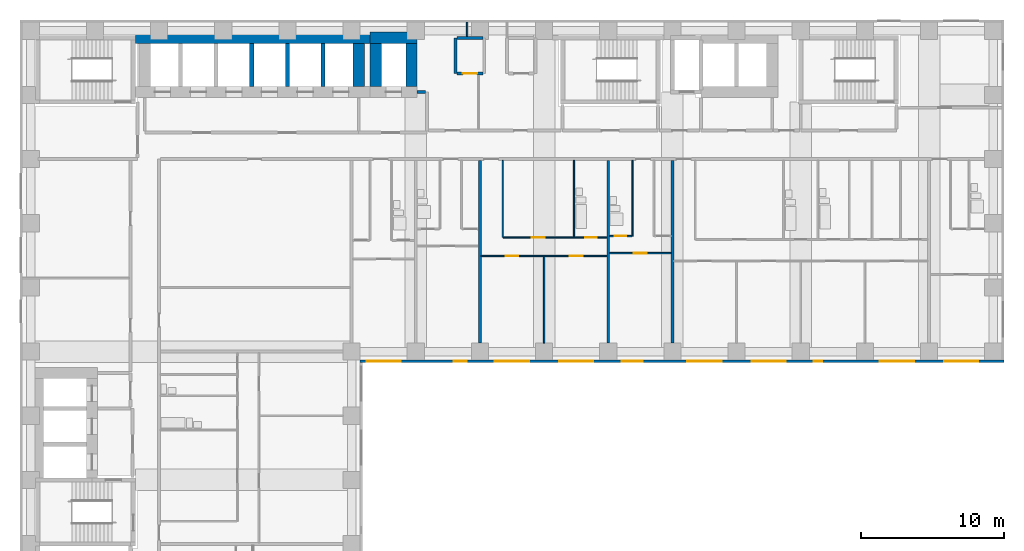
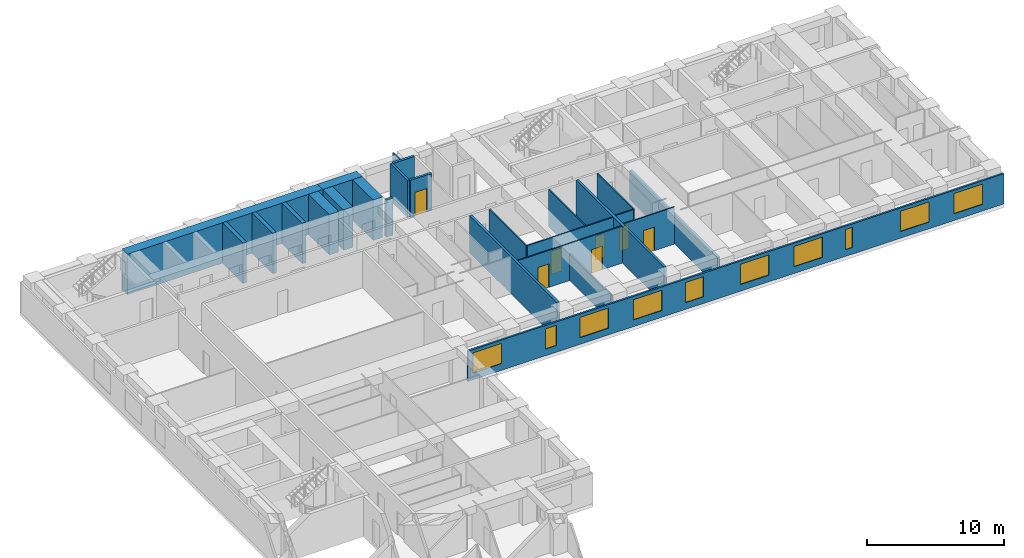
# One storey, part 6 of 12: 25 walls, 10 windows, 7 doors, 17 openings.
"""IFC4 building model written with IfcOpenShell, lengths in metres."""

from ifc_helpers import new_model, si_unit, direction, frame, frame_2d, origin, place, context, subcontext, project, spatial, rectangle, extrude, material, layer, layer_set, type_object, element, fill, save


model = new_model("IFC4")

# Units and contexts
model_context = context("Model", 3, precision=1e-05, world=origin(), true_north=direction((0.0, 1.0)))
body_context = subcontext(model_context, "Body", "Model", "MODEL_VIEW")
ifc_project = project(units=[si_unit("LENGTHUNIT", "METRE"), si_unit("AREAUNIT", "SQUARE_METRE"), si_unit("VOLUMEUNIT", "CUBIC_METRE"), si_unit("PLANEANGLEUNIT", "RADIAN"), si_unit("MASSUNIT", "GRAM", prefix="KILO")], contexts=[model_context])

# Site, building, storey
site_placement = place(None, origin())
site = spatial("IfcSite", under=ifc_project, at=site_placement, CompositionType="ELEMENT")
building_placement = place(site_placement, origin())
building = spatial("IfcBuilding", under=site, at=building_placement, Name="Firuza Court", CompositionType="ELEMENT")
storey_placement = place(building_placement, frame((0.0, 0.0, 39.800048828125)))
storey = spatial("IfcBuildingStorey", under=building, at=storey_placement, Name="L08", CompositionType="ELEMENT", Elevation=39.800048828125)

# Walls
ifc_material_1 = material(Name="Moisture-resistant gypsum board partition")
ifc_layer_1 = layer(ifc_material_1, 0.10009765625)
ifc_layer_set_1 = layer_set([ifc_layer_1], Name="Moisture-resistant gypsum board partition")
wall_type_1 = type_object("IfcWallType", Name="Bathroom partition 100", PredefinedType="PLUMBINGWALL", material=ifc_layer_set_1)
wall_1_placement = place(storey_placement, frame((38.10009765625, 44.050048828125, 0.0), z_axis=(0.0, 0.0, 1.0), x_axis=(0.0, 1.0, 0.0)))
element("IfcWall", 1, at=wall_1_placement, inside=storey, type_object=wall_type_1, Name="Bathroom partition 100 L08", PredefinedType="PLUMBINGWALL", context=body_context, shape_type="SweptSolid", body=[
    extrude(rectangle(XDim=5.349853515625, YDim=0.10009765625, at=frame_2d((2.6748046875, 0.0))), origin(), (0.0, 0.0, 1.0), 3.300048828125),
])
wall_2_placement = place(storey_placement, frame((42.199951171875, 44.10009765625, 0.0), z_axis=(0.0, 0.0, 1.0), x_axis=(0.0, 1.0, 0.0)))
element("IfcWall", 2, at=wall_2_placement, inside=storey, type_object=wall_type_1, Name="Bathroom partition 100 L08", PredefinedType="PLUMBINGWALL", context=body_context, shape_type="SweptSolid", body=[
    extrude(rectangle(XDim=5.2998046875, YDim=0.10009765625, at=frame_2d((2.64990234375, 0.0))), origin(), (0.0, 0.0, 1.0), 3.300048828125),
])
ifc_material_2 = material(Name="Concrete C60/75", Category="concrete")
ifc_layer_2 = layer(ifc_material_2, 0.300048828125)
ifc_layer_set_2 = layer_set([ifc_layer_2], Name="Concrete C60/75")
wall_type_2 = type_object("IfcWallType", Name="Core wall 300 C60/75", PredefinedType="SHEAR", material=ifc_layer_set_2)
for number, where, z_axis, x_axis, name in (
    (3, (15.5, 54.60009765625, -0.300048828125), (0.0, 0.0, 1.0), (0.0, 1.0, 0.0), "Core wall lift shaft L08"),
    (4, (18.0, 54.60009765625, -0.300048828125), (0.0, 0.0, 1.0), (0.0, 1.0, 0.0), "Core wall lift shaft L08"),
    (5, (20.5, 54.60009765625, -0.300048828125), (0.0, 0.0, 1.0), (0.0, 1.0, 0.0), "Core wall lift shaft L08"),
):
    element("IfcWall", number, at=place(storey_placement, frame(where, z_axis=z_axis, x_axis=x_axis)), inside=storey, type_object=wall_type_2, Name=name, PredefinedType="SHEAR", context=body_context, shape_type="SweptSolid", body=[
        extrude(rectangle(XDim=3.0, YDim=0.300048828125, at=frame_2d((1.5, 0.0))), origin(), (0.0, 0.0, 1.0), 3.60009765625),
    ])
ifc_layer_3 = layer(ifc_material_2, 0.800048828125)
ifc_layer_set_3 = layer_set([ifc_layer_3], Name="Concrete C60/75")
wall_type_3 = type_object("IfcWallType", Name="Core wall 800 C60/75", PredefinedType="SHEAR", material=ifc_layer_set_3)
wall_3_placement = place(storey_placement, frame((7.35009765625, 58.0, -0.300048828125), z_axis=(0.0, 0.0, 1.0), x_axis=(1.0, 0.0, 0.0)))
element("IfcWall", 6, at=wall_3_placement, inside=storey, type_object=wall_type_3, Name="Core wall lift shaft L08", PredefinedType="SHEAR", context=body_context, shape_type="SweptSolid", body=[
    extrude(rectangle(XDim=16.449951171875, YDim=0.800048828125, at=frame_2d((8.22509765625, 0.0))), origin(), (0.0, 0.0, 1.0), 3.60009765625),
])
wall_4_placement = place(storey_placement, frame((23.0, 54.60009765625, -0.300048828125), z_axis=(0.0, 0.0, 1.0), x_axis=(0.0, 1.0, 0.0)))
element("IfcWall", 7, at=wall_4_placement, inside=storey, type_object=wall_type_3, Name="Core wall lift shaft L08", PredefinedType="SHEAR", context=body_context, shape_type="SweptSolid", body=[
    extrude(rectangle(XDim=3.0, YDim=0.800048828125, at=frame_2d((1.5, 0.0))), origin(), (0.0, 0.0, 1.0), 3.60009765625),
])
wall_5_placement = place(storey_placement, frame((23.800048828125, 58.0, -0.300048828125), z_axis=(0.0, 0.0, 1.0), x_axis=(1.0, 0.0, 0.0)))
element("IfcWall", 8, at=wall_5_placement, inside=storey, type_object=wall_type_3, Name="Core wall lift shaft L08", PredefinedType="SHEAR", context=body_context, shape_type="SweptSolid", body=[
    extrude(rectangle(XDim=3.300048828125, YDim=0.800048828125, at=frame_2d((1.64990234375, 0.0))), origin(), (0.0, 0.0, 1.0), 3.60009765625),
])
for number, where, z_axis, x_axis, name in (
    (9, (24.199951171875, 54.60009765625, -0.300048828125), (0.0, 0.0, 1.0), (0.0, 1.0, 0.0), "Core wall lift shaft L08"),
    (10, (26.699951171875, 54.60009765625, -0.300048828125), (0.0, 0.0, 1.0), (0.0, 1.0, 0.0), "Core wall lift shaft L08"),
):
    element("IfcWall", number, at=place(storey_placement, frame(where, z_axis=z_axis, x_axis=x_axis)), inside=storey, type_object=wall_type_3, Name=name, PredefinedType="SHEAR", context=body_context, shape_type="SweptSolid", body=[
        extrude(rectangle(XDim=3.0, YDim=0.800048828125, at=frame_2d((1.5, 0.0))), origin(), (0.0, 0.0, 1.0), 3.60009765625),
    ])
ifc_material_3 = material(Name="Timber stud partition, plasterboard both sides", Category="wood")
ifc_layer_4 = layer(ifc_material_3, 0.10009765625)
ifc_layer_set_4 = layer_set([ifc_layer_4], Name="Timber stud partition, plasterboard both sides")
wall_type_4 = type_object("IfcWallType", Name="Partition wall 100", PredefinedType="PARTITIONING", material=ifc_layer_set_4)
wall_6_placement = place(storey_placement, frame((36.0, 36.60009765625, 0.0), z_axis=(0.0, 0.0, 1.0), x_axis=(0.0, 1.0, 0.0)))
element("IfcWall", 11, at=wall_6_placement, inside=storey, type_object=wall_type_4, Name="Partition wall 100 L08", PredefinedType="PARTITIONING", context=body_context, shape_type="SweptSolid", body=[
    extrude(rectangle(XDim=6.0498046875, YDim=0.10009765625, at=frame_2d((3.02490234375, 0.0))), origin(), (0.0, 0.0, 1.0), 2.39990234375),
])

# Wall, openings, doors
wall_7_placement = place(storey_placement, frame((31.60009765625, 42.699951171875, 0.0), z_axis=(0.0, 0.0, 1.0), x_axis=(1.0, 0.0, 0.0)))
wall_7 = element("IfcWall", 12, at=wall_7_placement, inside=storey, type_object=wall_type_4, Name="Partition wall 100 L08", PredefinedType="PARTITIONING", context=body_context, shape_type="SweptSolid", body=[
    extrude(rectangle(XDim=8.7998046875, YDim=0.10009765625, at=frame_2d((4.39990234375, 0.0))), origin(), (0.0, 0.0, 1.0), 3.300048828125),
])
opening_1_placement = place(wall_7_placement, frame((1.699951171875, 0.0, 0.0)))
opening_1 = element("IfcOpeningElement", 13, at=opening_1_placement, cuts=wall_7, Name="Opening D08049", PredefinedType="OPENING", context=body_context, shape_type="SweptSolid", body=[
    extrude(rectangle(XDim=0.89990234375, YDim=2.10009765625, at=frame_2d((0.449951171875, 1.050048828125))), frame((0.0, 0.06201171875, 0.0), z_axis=(0.0, -1.0, 0.0), x_axis=(1.0, 0.0, 0.0)), (0.0, 0.0, 1.0), 0.1240234375),
])
opening_2_placement = place(wall_7_placement, frame((6.199951171875, 0.0, 0.0)))
opening_2 = element("IfcOpeningElement", 14, at=opening_2_placement, cuts=wall_7, Name="Opening D08050", PredefinedType="OPENING", context=body_context, shape_type="SweptSolid", body=[
    extrude(rectangle(XDim=0.89990234375, YDim=2.10009765625, at=frame_2d((0.449951171875, 1.050048828125))), frame((0.0, 0.06201171875, 0.0), z_axis=(0.0, -1.0, 0.0), x_axis=(1.0, 0.0, 0.0)), (0.0, 0.0, 1.0), 0.1240234375),
])
ifc_material_4 = material(Name="Timber door leaf in hardwood frame", Category="wood")
door_type_1 = type_object("IfcDoorType", Name="Room door 900", OperationType="SINGLE_SWING_LEFT", PredefinedType="DOOR", material=ifc_material_4)
door_1_placement = place(opening_1_placement, frame((0.89990234375, 0.0, 0.0), z_axis=(0.0, 0.0, 1.0), x_axis=(-1.0, 0.0, 0.0)))
door_1 = element("IfcDoor", 15, at=door_1_placement, inside=storey, type_object=door_type_1, Name="Bedroom door", OperationType="SINGLE_SWING_RIGHT", OverallHeight=2.10009765625, OverallWidth=0.89990234375, PredefinedType="DOOR", context=body_context, shape_type="SweptSolid", body=[
    extrude(rectangle(XDim=0.89990234375, YDim=2.10009765625, at=frame_2d((0.449951171875, 1.050048828125))), frame((0.0, 0.02490234375, 0.0), z_axis=(0.0, -1.0, 0.0), x_axis=(1.0, 0.0, 0.0)), (0.0, 0.0, 1.0), 0.050048828125),
])
fill(opening_1, door_1)
door_2_placement = place(opening_2_placement, frame((0.89990234375, 0.0, 0.0), z_axis=(0.0, 0.0, 1.0), x_axis=(-1.0, 0.0, 0.0)))
door_2 = element("IfcDoor", 16, at=door_2_placement, inside=storey, type_object=door_type_1, Name="Living room door", OperationType="SINGLE_SWING_RIGHT", OverallHeight=2.10009765625, OverallWidth=0.89990234375, PredefinedType="DOOR", context=body_context, shape_type="SweptSolid", body=[
    extrude(rectangle(XDim=0.89990234375, YDim=2.10009765625, at=frame_2d((0.449951171875, 1.050048828125))), frame((0.0, 0.02490234375, 0.0), z_axis=(0.0, -1.0, 0.0), x_axis=(1.0, 0.0, 0.0)), (0.0, 0.0, 1.0), 0.050048828125),
])
fill(opening_2, door_2)

# Wall, opening, door
wall_8_placement = place(storey_placement, frame((40.60009765625, 42.89990234375, 0.0), z_axis=(0.0, 0.0, 1.0), x_axis=(1.0, 0.0, 0.0)))
wall_8 = element("IfcWall", 17, at=wall_8_placement, inside=storey, type_object=wall_type_4, Name="Partition wall 100 L08", PredefinedType="PARTITIONING", context=body_context, shape_type="SweptSolid", body=[
    extrude(rectangle(XDim=4.2998046875, YDim=0.10009765625, at=frame_2d((2.14990234375, 0.0))), origin(), (0.0, 0.0, 1.0), 3.300048828125),
])
opening_3_placement = place(wall_8_placement, frame((1.699951171875, 0.0, 0.0)))
opening_3 = element("IfcOpeningElement", 18, at=opening_3_placement, cuts=wall_8, Name="Opening D08051", PredefinedType="OPENING", context=body_context, shape_type="SweptSolid", body=[
    extrude(rectangle(XDim=0.89990234375, YDim=2.10009765625, at=frame_2d((0.449951171875, 1.050048828125))), frame((0.0, 0.06201171875, 0.0), z_axis=(0.0, -1.0, 0.0), x_axis=(1.0, 0.0, 0.0)), (0.0, 0.0, 1.0), 0.1240234375),
])
door_3_placement = place(opening_3_placement, frame((0.89990234375, 0.0, 0.0), z_axis=(0.0, 0.0, 1.0), x_axis=(-1.0, 0.0, 0.0)))
door_3 = element("IfcDoor", 19, at=door_3_placement, inside=storey, type_object=door_type_1, Name="Studio room door", OperationType="SINGLE_SWING_RIGHT", OverallHeight=2.10009765625, OverallWidth=0.89990234375, PredefinedType="DOOR", context=body_context, shape_type="SweptSolid", body=[
    extrude(rectangle(XDim=0.89990234375, YDim=2.10009765625, at=frame_2d((0.449951171875, 1.050048828125))), frame((0.0, 0.02490234375, 0.0), z_axis=(0.0, -1.0, 0.0), x_axis=(1.0, 0.0, 0.0)), (0.0, 0.0, 1.0), 0.050048828125),
])
fill(opening_3, door_3)

# Wall
wall_9_placement = place(storey_placement, frame((33.10009765625, 44.0, 0.0), z_axis=(0.0, 0.0, 1.0), x_axis=(0.0, 1.0, 0.0)))
element("IfcWall", 20, at=wall_9_placement, inside=storey, type_object=wall_type_4, Name="Partition wall 100 L08", PredefinedType="PARTITIONING", context=body_context, shape_type="SweptSolid", body=[
    extrude(rectangle(XDim=5.39990234375, YDim=0.10009765625, at=frame_2d((2.699951171875, 0.0))), origin(), (0.0, 0.0, 1.0), 3.300048828125),
])

# Wall, openings, doors
wall_10_placement = place(storey_placement, frame((33.14990234375, 44.0, 0.0), z_axis=(0.0, 0.0, 1.0), x_axis=(1.0, 0.0, 0.0)))
wall_10 = element("IfcWall", 21, at=wall_10_placement, inside=storey, type_object=wall_type_4, Name="Partition wall 100 L08", PredefinedType="PARTITIONING", context=body_context, shape_type="SweptSolid", body=[
    extrude(rectangle(XDim=7.25, YDim=0.10009765625, at=frame_2d((3.625, 0.0))), origin(), (0.0, 0.0, 1.0), 3.300048828125),
])
opening_4_placement = place(wall_10_placement, frame((5.75, 0.0, 0.0)))
opening_4 = element("IfcOpeningElement", 22, at=opening_4_placement, cuts=wall_10, Name="Opening D08061", PredefinedType="OPENING", context=body_context, shape_type="SweptSolid", body=[
    extrude(rectangle(XDim=0.800048828125, YDim=2.10009765625, at=frame_2d((0.39990234375, 1.050048828125))), frame((0.0, 0.06201171875, 0.0), z_axis=(0.0, -1.0, 0.0), x_axis=(1.0, 0.0, 0.0)), (0.0, 0.0, 1.0), 0.1240234375),
])
opening_5_placement = place(wall_10_placement, frame((2.0, 0.0, 0.0)))
opening_5 = element("IfcOpeningElement", 23, at=opening_5_placement, cuts=wall_10, Name="Opening D08062", PredefinedType="OPENING", context=body_context, shape_type="SweptSolid", body=[
    extrude(rectangle(XDim=0.89990234375, YDim=2.10009765625, at=frame_2d((0.449951171875, 1.050048828125))), frame((0.0, 0.06201171875, 0.0), z_axis=(0.0, -1.0, 0.0), x_axis=(1.0, 0.0, 0.0)), (0.0, 0.0, 1.0), 0.1240234375),
])
ifc_material_5 = material(Name="Timber door leaf in hardwood frame", Category="wood")
door_type_2 = type_object("IfcDoorType", Name="Bathroom door 800", OperationType="SINGLE_SWING_LEFT", PredefinedType="DOOR", material=ifc_material_5)
door_4_placement = place(opening_4_placement, origin())
door_4 = element("IfcDoor", 24, at=door_4_placement, inside=storey, type_object=door_type_2, Name="Bathroom door", OperationType="SINGLE_SWING_LEFT", OverallHeight=2.10009765625, OverallWidth=0.800048828125, PredefinedType="DOOR", context=body_context, shape_type="SweptSolid", body=[
    extrude(rectangle(XDim=0.800048828125, YDim=2.10009765625, at=frame_2d((0.39990234375, 1.050048828125))), frame((0.0, 0.02490234375, 0.0), z_axis=(0.0, -1.0, 0.0), x_axis=(1.0, 0.0, 0.0)), (0.0, 0.0, 1.0), 0.050048828125),
])
fill(opening_4, door_4)
door_5_placement = place(opening_5_placement, origin())
door_5 = element("IfcDoor", 25, at=door_5_placement, inside=storey, type_object=door_type_1, Name="Kitchen door", OperationType="SINGLE_SWING_LEFT", OverallHeight=2.10009765625, OverallWidth=0.89990234375, PredefinedType="DOOR", context=body_context, shape_type="SweptSolid", body=[
    extrude(rectangle(XDim=0.89990234375, YDim=2.10009765625, at=frame_2d((0.449951171875, 1.050048828125))), frame((0.0, 0.02490234375, 0.0), z_axis=(0.0, -1.0, 0.0), x_axis=(1.0, 0.0, 0.0)), (0.0, 0.0, 1.0), 0.050048828125),
])
fill(opening_5, door_5)

# Wall, opening, door
wall_11_placement = place(storey_placement, frame((40.60009765625, 44.10009765625, 0.0), z_axis=(0.0, 0.0, 1.0), x_axis=(1.0, 0.0, 0.0)))
wall_11 = element("IfcWall", 26, at=wall_11_placement, inside=storey, type_object=wall_type_4, Name="Partition wall 100 L08", PredefinedType="PARTITIONING", context=body_context, shape_type="SweptSolid", body=[
    extrude(rectangle(XDim=1.5498046875, YDim=0.10009765625, at=frame_2d((0.77490234375, 0.0))), origin(), (0.0, 0.0, 1.0), 3.300048828125),
])
opening_6_placement = place(wall_11_placement, frame((0.35009765625, 0.0, 0.0)))
opening_6 = element("IfcOpeningElement", 27, at=opening_6_placement, cuts=wall_11, Name="Opening D08063", PredefinedType="OPENING", context=body_context, shape_type="SweptSolid", body=[
    extrude(rectangle(XDim=0.800048828125, YDim=2.10009765625, at=frame_2d((0.39990234375, 1.050048828125))), frame((0.0, 0.06201171875, 0.0), z_axis=(0.0, -1.0, 0.0), x_axis=(1.0, 0.0, 0.0)), (0.0, 0.0, 1.0), 0.1240234375),
])
door_6_placement = place(opening_6_placement, origin())
door_6 = element("IfcDoor", 28, at=door_6_placement, inside=storey, type_object=door_type_2, Name="Bathroom door", OperationType="SINGLE_SWING_LEFT", OverallHeight=2.10009765625, OverallWidth=0.800048828125, PredefinedType="DOOR", context=body_context, shape_type="SweptSolid", body=[
    extrude(rectangle(XDim=0.800048828125, YDim=2.10009765625, at=frame_2d((0.39990234375, 1.050048828125))), frame((0.0, 0.02490234375, 0.0), z_axis=(0.0, -1.0, 0.0), x_axis=(1.0, 0.0, 0.0)), (0.0, 0.0, 1.0), 0.050048828125),
])
fill(opening_6, door_6)

# Walls
wall_12_placement = place(storey_placement, frame((30.60009765625, 58.10009765625, 0.0), z_axis=(0.0, 0.0, 1.0), x_axis=(0.0, 1.0, 0.0)))
element("IfcWall", 29, at=wall_12_placement, inside=storey, type_object=wall_type_4, Name="Partition wall 100 L08", PredefinedType="PARTITIONING", context=body_context, shape_type="SweptSolid", body=[
    extrude(rectangle(XDim=1.0, YDim=0.10009765625, at=frame_2d((0.5, 0.0))), origin(), (0.0, 0.0, 1.0), 3.300048828125),
])
ifc_material_6 = material(Name="Blockwork, plastered both sides", Category="masonry")
ifc_layer_5 = layer(ifc_material_6, 0.199951171875)
ifc_layer_set_5 = layer_set([ifc_layer_5], Name="Blockwork, plastered both sides")
wall_type_5 = type_object("IfcWallType", Name="Party wall 200", PredefinedType="PARTITIONING", material=ifc_layer_set_5)
for number, where, z_axis, x_axis, name in (
    (30, (31.5, 36.60009765625, 0.0), (0.0, 0.0, 1.0), (0.0, 1.0, 0.0), "Party wall 200 L08"),
    (31, (40.5, 36.60009765625, 0.0), (0.0, 0.0, 1.0), (0.0, 1.0, 0.0), "Party wall 200 L08"),
):
    element("IfcWall", number, at=place(storey_placement, frame(where, z_axis=z_axis, x_axis=x_axis)), inside=storey, type_object=wall_type_5, Name=name, PredefinedType="PARTITIONING", context=body_context, shape_type="SweptSolid", body=[
        extrude(rectangle(XDim=12.7998046875, YDim=0.199951171875, at=frame_2d((6.39990234375, 0.0))), origin(), (0.0, 0.0, 1.0), 3.300048828125),
    ])
wall_13_placement = place(storey_placement, frame((45.0, 36.60009765625, 0.0), z_axis=(0.0, 0.0, 1.0), x_axis=(0.0, 1.0, 0.0)))
element("IfcWall", 32, at=wall_13_placement, inside=storey, type_object=wall_type_5, Name="Party wall 200 L08", PredefinedType="PARTITIONING", context=body_context, shape_type="SweptSolid", body=[
    extrude(rectangle(XDim=12.7998046875, YDim=0.199951171875, at=frame_2d((6.39990234375, 0.0))), origin(), (0.0, 0.0, 1.0), 2.599853515625),
])
ifc_material_7 = material(Name="Blockwork, fire-rated", Category="masonry")
ifc_layer_6 = layer(ifc_material_7, 0.199951171875)
ifc_layer_set_6 = layer_set([ifc_layer_6], Name="Blockwork, fire-rated")
wall_type_6 = type_object("IfcWallType", Name="Plant room wall 200", PredefinedType="PARTITIONING", material=ifc_layer_set_6)
wall_14_placement = place(storey_placement, frame((29.800048828125, 55.5, 0.0), z_axis=(0.0, 0.0, 1.0), x_axis=(0.0, 1.0, 0.0)))
element("IfcWall", 33, at=wall_14_placement, inside=storey, type_object=wall_type_6, Name="Plant room wall 200 L08", PredefinedType="PARTITIONING", context=body_context, shape_type="SweptSolid", body=[
    extrude(rectangle(XDim=2.5, YDim=0.199951171875, at=frame_2d((1.25, 0.0))), origin(), (0.0, 0.0, 1.0), 3.300048828125),
])

# Wall, opening, door
wall_15_placement = place(storey_placement, frame((29.89990234375, 55.5, 0.0), z_axis=(0.0, 0.0, 1.0), x_axis=(1.0, 0.0, 0.0)))
wall_15 = element("IfcWall", 34, at=wall_15_placement, inside=storey, type_object=wall_type_6, Name="Plant room wall 200 L08", PredefinedType="PARTITIONING", context=body_context, shape_type="SweptSolid", body=[
    extrude(rectangle(XDim=1.800048828125, YDim=0.199951171875, at=frame_2d((0.89990234375, 0.0))), origin(), (0.0, 0.0, 1.0), 3.300048828125),
])
opening_7_placement = place(wall_15_placement, frame((0.39990234375, 0.0, 0.0)))
opening_7 = element("IfcOpeningElement", 35, at=opening_7_placement, cuts=wall_15, Name="Opening D08081", PredefinedType="OPENING", context=body_context, shape_type="SweptSolid", body=[
    extrude(rectangle(XDim=1.0, YDim=2.10009765625, at=frame_2d((0.5, 1.050048828125))), frame((0.0, 0.11181640625, 0.0), z_axis=(0.0, -1.0, 0.0), x_axis=(1.0, 0.0, 0.0)), (0.0, 0.0, 1.0), 0.223876953125),
])
ifc_material_8 = material(Name="Timber door leaf in hardwood frame", Category="wood")
door_type_3 = type_object("IfcDoorType", Name="Riser door 1000", OperationType="SINGLE_SWING_LEFT", PredefinedType="DOOR", material=ifc_material_8)
door_7_placement = place(opening_7_placement, origin())
door_7 = element("IfcDoor", 36, at=door_7_placement, inside=storey, type_object=door_type_3, Name="Electrical riser door", OperationType="SINGLE_SWING_LEFT", OverallHeight=2.10009765625, OverallWidth=1.0, PredefinedType="DOOR", context=body_context, shape_type="SweptSolid", body=[
    extrude(rectangle(XDim=1.0, YDim=2.10009765625, at=frame_2d((0.5, 1.050048828125))), frame((0.0, 0.02490234375, 0.0), z_axis=(0.0, -1.0, 0.0), x_axis=(1.0, 0.0, 0.0)), (0.0, 0.0, 1.0), 0.050048828125),
])
fill(opening_7, door_7)

# Wall
wall_16_placement = place(storey_placement, frame((29.89990234375, 58.0, 0.0), z_axis=(0.0, 0.0, 1.0), x_axis=(1.0, 0.0, 0.0)))
element("IfcWall", 37, at=wall_16_placement, inside=storey, type_object=wall_type_6, Name="Plant room wall 200 L08", PredefinedType="PARTITIONING", context=body_context, shape_type="SweptSolid", body=[
    extrude(rectangle(XDim=1.800048828125, YDim=0.199951171875, at=frame_2d((0.89990234375, 0.0))), origin(), (0.0, 0.0, 1.0), 3.300048828125),
])

# Wall, openings, windows
ifc_material_9 = material(Name="Ceramic tile", Category="ceramic")
ifc_layer_7 = layer(ifc_material_9, 0.02001953125)
ifc_material_10 = material(Name="Mineral wool insulation", Category="insulation")
ifc_layer_8 = layer(ifc_material_10, 0.050048828125)
ifc_material_11 = material(Name="Concrete C40/50 precast", Category="concrete")
ifc_layer_9 = layer(ifc_material_11, 0.080078125)
ifc_layer_set_7 = layer_set([ifc_layer_7, ifc_layer_8, ifc_layer_9], Name="Concrete C40/50 precast")
wall_type_7 = type_object("IfcWallType", Name="Precast cladding wall with turquoise TILE PANEL face 150", PredefinedType="STANDARD", material=ifc_layer_set_7)
wall_17_placement = place(storey_placement, frame((23.10009765625, 35.324951171875, 0.0), z_axis=(0.0, 0.0, 1.0), x_axis=(1.0, 0.0, 0.0)))
wall_17 = element("IfcWall", 38, at=wall_17_placement, inside=storey, type_object=wall_type_7, Name="Facade wall L08 S", PredefinedType="STANDARD", context=body_context, shape_type="SweptSolid", body=[
    extrude(rectangle(XDim=45.14990234375, YDim=0.14990234375, at=frame_2d((22.574951171875, 0.0))), origin(), (0.0, 0.0, 1.0), 2.699951171875),
])
opening_8_placement = place(wall_17_placement, frame((0.449951171875, 0.0, 0.60009765625)))
opening_8 = element("IfcOpeningElement", 39, at=opening_8_placement, cuts=wall_17, Name="Opening W1", PredefinedType="OPENING", context=body_context, shape_type="SweptSolid", body=[
    extrude(rectangle(XDim=2.39990234375, YDim=1.800048828125, at=frame_2d((1.199951171875, 0.89990234375))), frame((0.0, 0.0869140625, 0.0), z_axis=(0.0, -1.0, 0.0), x_axis=(1.0, 0.0, 0.0)), (0.0, 0.0, 1.0), 0.173828125),
])
opening_9_placement = place(wall_17_placement, frame((6.559814453125, 0.0, 0.60009765625)))
opening_9 = element("IfcOpeningElement", 40, at=opening_9_placement, cuts=wall_17, Name="Opening W3", PredefinedType="OPENING", context=body_context, shape_type="SweptSolid", body=[
    extrude(rectangle(XDim=0.89990234375, YDim=1.800048828125, at=frame_2d((0.449951171875, 0.89990234375))), frame((0.0, 0.0869140625, 0.0), z_axis=(0.0, -1.0, 0.0), x_axis=(1.0, 0.0, 0.0)), (0.0, 0.0, 1.0), 0.173828125),
])
opening_10_placement = place(wall_17_placement, frame((9.449951171875, 0.0, 0.60009765625)))
opening_10 = element("IfcOpeningElement", 41, at=opening_10_placement, cuts=wall_17, Name="Opening W1", PredefinedType="OPENING", context=body_context, shape_type="SweptSolid", body=[
    extrude(rectangle(XDim=2.39990234375, YDim=1.800048828125, at=frame_2d((1.199951171875, 0.89990234375))), frame((0.0, 0.0869140625, 0.0), z_axis=(0.0, -1.0, 0.0), x_axis=(1.0, 0.0, 0.0)), (0.0, 0.0, 1.0), 0.173828125),
])
opening_11_placement = place(wall_17_placement, frame((13.949951171875, 0.0, 0.60009765625)))
opening_11 = element("IfcOpeningElement", 42, at=opening_11_placement, cuts=wall_17, Name="Opening W1", PredefinedType="OPENING", context=body_context, shape_type="SweptSolid", body=[
    extrude(rectangle(XDim=2.39990234375, YDim=1.800048828125, at=frame_2d((1.199951171875, 0.89990234375))), frame((0.0, 0.0869140625, 0.0), z_axis=(0.0, -1.0, 0.0), x_axis=(1.0, 0.0, 0.0)), (0.0, 0.0, 1.0), 0.173828125),
])
opening_12_placement = place(wall_17_placement, frame((18.32958984375, 0.0, 0.60009765625)))
opening_12 = element("IfcOpeningElement", 43, at=opening_12_placement, cuts=wall_17, Name="Opening W2", PredefinedType="OPENING", context=body_context, shape_type="SweptSolid", body=[
    extrude(rectangle(XDim=1.5, YDim=1.800048828125, at=frame_2d((0.75, 0.89990234375))), frame((0.0, 0.0869140625, 0.0), z_axis=(0.0, -1.0, 0.0), x_axis=(1.0, 0.0, 0.0)), (0.0, 0.0, 1.0), 0.173828125),
])
opening_13_placement = place(wall_17_placement, frame((22.949951171875, 0.0, 0.60009765625)))
opening_13 = element("IfcOpeningElement", 44, at=opening_13_placement, cuts=wall_17, Name="Opening W1", PredefinedType="OPENING", context=body_context, shape_type="SweptSolid", body=[
    extrude(rectangle(XDim=2.39990234375, YDim=1.800048828125, at=frame_2d((1.199951171875, 0.89990234375))), frame((0.0, 0.0869140625, 0.0), z_axis=(0.0, -1.0, 0.0), x_axis=(1.0, 0.0, 0.0)), (0.0, 0.0, 1.0), 0.173828125),
])
opening_14_placement = place(wall_17_placement, frame((27.449951171875, 0.0, 0.60009765625)))
opening_14 = element("IfcOpeningElement", 45, at=opening_14_placement, cuts=wall_17, Name="Opening W1", PredefinedType="OPENING", context=body_context, shape_type="SweptSolid", body=[
    extrude(rectangle(XDim=2.39990234375, YDim=1.800048828125, at=frame_2d((1.199951171875, 0.89990234375))), frame((0.0, 0.0869140625, 0.0), z_axis=(0.0, -1.0, 0.0), x_axis=(1.0, 0.0, 0.0)), (0.0, 0.0, 1.0), 0.173828125),
])
opening_15_placement = place(wall_17_placement, frame((31.79736328125, 0.0, 0.60009765625)))
opening_15 = element("IfcOpeningElement", 46, at=opening_15_placement, cuts=wall_17, Name="Opening W4", PredefinedType="OPENING", context=body_context, shape_type="SweptSolid", body=[
    extrude(rectangle(XDim=0.60009765625, YDim=1.800048828125, at=frame_2d((0.300048828125, 0.89990234375))), frame((0.0, 0.0869140625, 0.0), z_axis=(0.0, -1.0, 0.0), x_axis=(1.0, 0.0, 0.0)), (0.0, 0.0, 1.0), 0.173828125),
])
opening_16_placement = place(wall_17_placement, frame((36.449951171875, 0.0, 0.60009765625)))
opening_16 = element("IfcOpeningElement", 47, at=opening_16_placement, cuts=wall_17, Name="Opening W1", PredefinedType="OPENING", context=body_context, shape_type="SweptSolid", body=[
    extrude(rectangle(XDim=2.39990234375, YDim=1.800048828125, at=frame_2d((1.199951171875, 0.89990234375))), frame((0.0, 0.0869140625, 0.0), z_axis=(0.0, -1.0, 0.0), x_axis=(1.0, 0.0, 0.0)), (0.0, 0.0, 1.0), 0.173828125),
])
opening_17_placement = place(wall_17_placement, frame((40.949951171875, 0.0, 0.60009765625)))
opening_17 = element("IfcOpeningElement", 48, at=opening_17_placement, cuts=wall_17, Name="Opening W1", PredefinedType="OPENING", context=body_context, shape_type="SweptSolid", body=[
    extrude(rectangle(XDim=2.39990234375, YDim=1.800048828125, at=frame_2d((1.199951171875, 0.89990234375))), frame((0.0, 0.0869140625, 0.0), z_axis=(0.0, -1.0, 0.0), x_axis=(1.0, 0.0, 0.0)), (0.0, 0.0, 1.0), 0.173828125),
])
ifc_material_12 = material(Name="Aluminium frame, triple clear glazing", Category="aluminium")
window_type_1 = type_object("IfcWindowType", Name="Window W1 2400 x 1800", PartitioningType="SINGLE_PANEL", PredefinedType="WINDOW", material=ifc_material_12)
window_1_placement = place(opening_8_placement, origin())
window_1 = element("IfcWindow", 49, at=window_1_placement, inside=storey, type_object=window_type_1, Name="Window L08", OverallHeight=1.800048828125, OverallWidth=2.39990234375, PartitioningType="SINGLE_PANEL", PredefinedType="WINDOW", context=body_context, shape_type="SweptSolid", body=[
    extrude(rectangle(XDim=2.39990234375, YDim=1.800048828125, at=frame_2d((1.199951171875, 0.89990234375))), frame((0.0, 0.030029296875, 0.0), z_axis=(0.0, -1.0, 0.0), x_axis=(1.0, 0.0, 0.0)), (0.0, 0.0, 1.0), 0.06005859375),
])
fill(opening_8, window_1)
window_2_placement = place(opening_10_placement, origin())
window_2 = element("IfcWindow", 50, at=window_2_placement, inside=storey, type_object=window_type_1, Name="Window L08", OverallHeight=1.800048828125, OverallWidth=2.39990234375, PartitioningType="SINGLE_PANEL", PredefinedType="WINDOW", context=body_context, shape_type="SweptSolid", body=[
    extrude(rectangle(XDim=2.39990234375, YDim=1.800048828125, at=frame_2d((1.199951171875, 0.89990234375))), frame((0.0, 0.030029296875, 0.0), z_axis=(0.0, -1.0, 0.0), x_axis=(1.0, 0.0, 0.0)), (0.0, 0.0, 1.0), 0.06005859375),
])
fill(opening_10, window_2)
window_3_placement = place(opening_11_placement, origin())
window_3 = element("IfcWindow", 51, at=window_3_placement, inside=storey, type_object=window_type_1, Name="Window L08", OverallHeight=1.800048828125, OverallWidth=2.39990234375, PartitioningType="SINGLE_PANEL", PredefinedType="WINDOW", context=body_context, shape_type="SweptSolid", body=[
    extrude(rectangle(XDim=2.39990234375, YDim=1.800048828125, at=frame_2d((1.199951171875, 0.89990234375))), frame((0.0, 0.030029296875, 0.0), z_axis=(0.0, -1.0, 0.0), x_axis=(1.0, 0.0, 0.0)), (0.0, 0.0, 1.0), 0.06005859375),
])
fill(opening_11, window_3)
window_4_placement = place(opening_13_placement, origin())
window_4 = element("IfcWindow", 52, at=window_4_placement, inside=storey, type_object=window_type_1, Name="Window L08", OverallHeight=1.800048828125, OverallWidth=2.39990234375, PartitioningType="SINGLE_PANEL", PredefinedType="WINDOW", context=body_context, shape_type="SweptSolid", body=[
    extrude(rectangle(XDim=2.39990234375, YDim=1.800048828125, at=frame_2d((1.199951171875, 0.89990234375))), frame((0.0, 0.030029296875, 0.0), z_axis=(0.0, -1.0, 0.0), x_axis=(1.0, 0.0, 0.0)), (0.0, 0.0, 1.0), 0.06005859375),
])
fill(opening_13, window_4)
window_5_placement = place(opening_14_placement, origin())
window_5 = element("IfcWindow", 53, at=window_5_placement, inside=storey, type_object=window_type_1, Name="Window L08", OverallHeight=1.800048828125, OverallWidth=2.39990234375, PartitioningType="SINGLE_PANEL", PredefinedType="WINDOW", context=body_context, shape_type="SweptSolid", body=[
    extrude(rectangle(XDim=2.39990234375, YDim=1.800048828125, at=frame_2d((1.199951171875, 0.89990234375))), frame((0.0, 0.030029296875, 0.0), z_axis=(0.0, -1.0, 0.0), x_axis=(1.0, 0.0, 0.0)), (0.0, 0.0, 1.0), 0.06005859375),
])
fill(opening_14, window_5)
window_6_placement = place(opening_16_placement, origin())
window_6 = element("IfcWindow", 54, at=window_6_placement, inside=storey, type_object=window_type_1, Name="Window L08", OverallHeight=1.800048828125, OverallWidth=2.39990234375, PartitioningType="SINGLE_PANEL", PredefinedType="WINDOW", context=body_context, shape_type="SweptSolid", body=[
    extrude(rectangle(XDim=2.39990234375, YDim=1.800048828125, at=frame_2d((1.199951171875, 0.89990234375))), frame((0.0, 0.030029296875, 0.0), z_axis=(0.0, -1.0, 0.0), x_axis=(1.0, 0.0, 0.0)), (0.0, 0.0, 1.0), 0.06005859375),
])
fill(opening_16, window_6)
window_7_placement = place(opening_17_placement, origin())
window_7 = element("IfcWindow", 55, at=window_7_placement, inside=storey, type_object=window_type_1, Name="Window L08", OverallHeight=1.800048828125, OverallWidth=2.39990234375, PartitioningType="SINGLE_PANEL", PredefinedType="WINDOW", context=body_context, shape_type="SweptSolid", body=[
    extrude(rectangle(XDim=2.39990234375, YDim=1.800048828125, at=frame_2d((1.199951171875, 0.89990234375))), frame((0.0, 0.030029296875, 0.0), z_axis=(0.0, -1.0, 0.0), x_axis=(1.0, 0.0, 0.0)), (0.0, 0.0, 1.0), 0.06005859375),
])
fill(opening_17, window_7)
ifc_material_13 = material(Name="Aluminium frame, triple clear glazing", Category="aluminium")
window_type_2 = type_object("IfcWindowType", Name="Window W2 1500 x 1800", PartitioningType="SINGLE_PANEL", PredefinedType="WINDOW", material=ifc_material_13)
window_8_placement = place(opening_12_placement, origin())
window_8 = element("IfcWindow", 56, at=window_8_placement, inside=storey, type_object=window_type_2, Name="Window L08", OverallHeight=1.800048828125, OverallWidth=1.5, PartitioningType="SINGLE_PANEL", PredefinedType="WINDOW", context=body_context, shape_type="SweptSolid", body=[
    extrude(rectangle(XDim=1.5, YDim=1.800048828125, at=frame_2d((0.75, 0.89990234375))), frame((0.0, 0.030029296875, 0.0), z_axis=(0.0, -1.0, 0.0), x_axis=(1.0, 0.0, 0.0)), (0.0, 0.0, 1.0), 0.06005859375),
])
fill(opening_12, window_8)
ifc_material_14 = material(Name="Aluminium frame, triple clear glazing", Category="aluminium")
window_type_3 = type_object("IfcWindowType", Name="Window W3 900 x 1800", PartitioningType="SINGLE_PANEL", PredefinedType="WINDOW", material=ifc_material_14)
window_9_placement = place(opening_9_placement, origin())
window_9 = element("IfcWindow", 57, at=window_9_placement, inside=storey, type_object=window_type_3, Name="Window L08", OverallHeight=1.800048828125, OverallWidth=0.89990234375, PartitioningType="SINGLE_PANEL", PredefinedType="WINDOW", context=body_context, shape_type="SweptSolid", body=[
    extrude(rectangle(XDim=0.89990234375, YDim=1.800048828125, at=frame_2d((0.449951171875, 0.89990234375))), frame((0.0, 0.030029296875, 0.0), z_axis=(0.0, -1.0, 0.0), x_axis=(1.0, 0.0, 0.0)), (0.0, 0.0, 1.0), 0.06005859375),
])
fill(opening_9, window_9)
ifc_material_15 = material(Name="Aluminium frame, triple clear glazing", Category="aluminium")
window_type_4 = type_object("IfcWindowType", Name="Window W4 600 x 1800", PartitioningType="SINGLE_PANEL", PredefinedType="WINDOW", material=ifc_material_15)
window_10_placement = place(opening_15_placement, origin())
window_10 = element("IfcWindow", 58, at=window_10_placement, inside=storey, type_object=window_type_4, Name="Window L08", OverallHeight=1.800048828125, OverallWidth=0.60009765625, PartitioningType="SINGLE_PANEL", PredefinedType="WINDOW", context=body_context, shape_type="SweptSolid", body=[
    extrude(rectangle(XDim=0.60009765625, YDim=1.800048828125, at=frame_2d((0.300048828125, 0.89990234375))), frame((0.0, 0.030029296875, 0.0), z_axis=(0.0, -1.0, 0.0), x_axis=(1.0, 0.0, 0.0)), (0.0, 0.0, 1.0), 0.06005859375),
])
fill(opening_15, window_10)

# Wall
ifc_layer_10 = layer(ifc_material_7, 0.199951171875)
ifc_layer_set_8 = layer_set([ifc_layer_10], Name="Blockwork, fire-rated")
wall_type_8 = type_object("IfcWallType", Name="Shaft wall 200", PredefinedType="PARTITIONING", material=ifc_layer_set_8)
wall_18_placement = place(storey_placement, frame((27.10009765625, 54.199951171875, 0.0), z_axis=(0.0, 0.0, 1.0), x_axis=(1.0, 0.0, 0.0)))
element("IfcWall", 59, at=wall_18_placement, inside=storey, type_object=wall_type_8, Name="Shaft wall 200 L08", PredefinedType="PARTITIONING", context=body_context, shape_type="SweptSolid", body=[
    extrude(rectangle(XDim=0.599853515625, YDim=0.199951171875, at=frame_2d((0.2998046875, 0.0))), origin(), (0.0, 0.0, 1.0), 3.300048828125),
])

save(model, "model.ifc")
